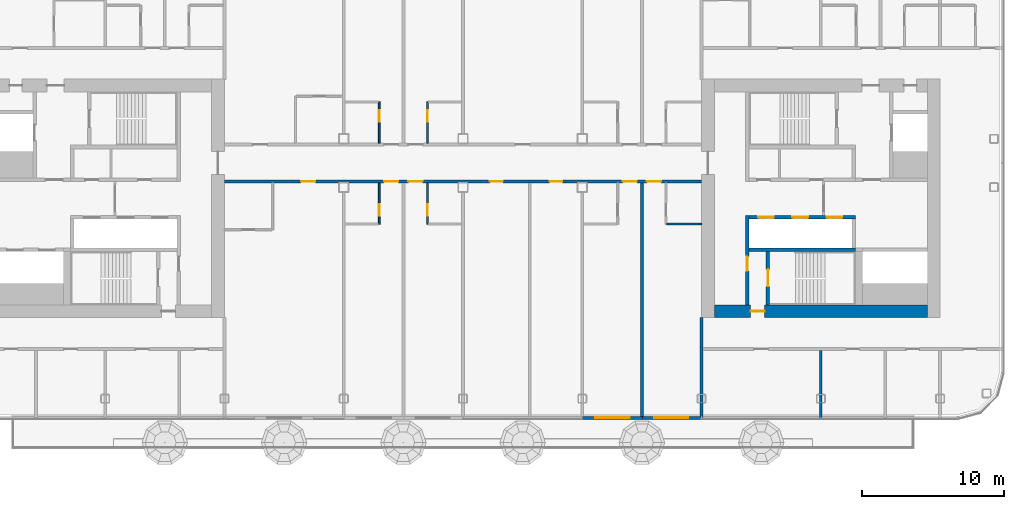
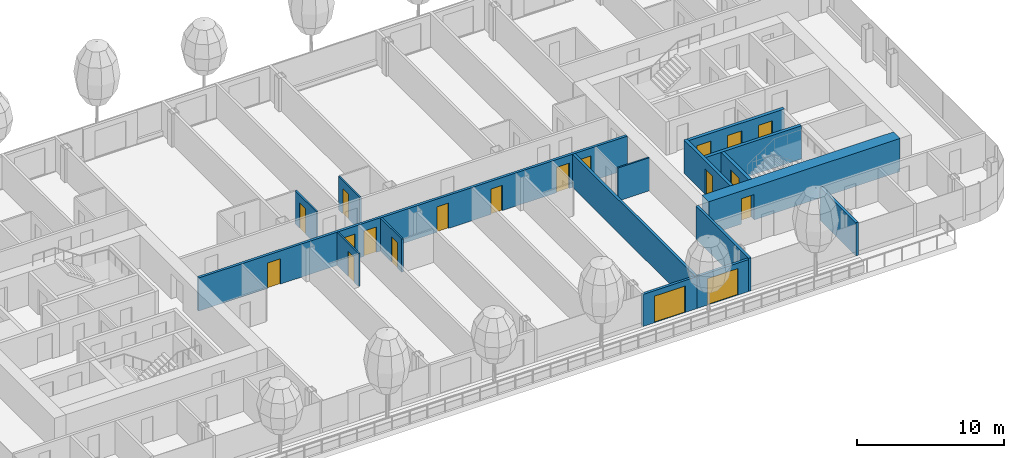
# One storey, part 12 of 28: 19 doors, 16 walls, 19 openings, 1 element without a shape of its own.
"""IFC4 building model written with IfcOpenShell, lengths in metres."""

import ifcopenshell
import ifcopenshell.guid

model = None  # the IFC model being written
_history = None  # IfcOwnerHistory: only IFC2X3 demands one
_inside = {}  # id of a spatial element -> (the spatial element, [elements in it])
_under = {}  # id of a project, library or spatial element -> (it, [spatial elements below it])
_declared = {}  # id of a project -> (the project, [libraries it declares])
_typed = {}  # id of a type object -> (the type object, [elements of that type])
_made_of = {}  # id of a material, layer set ... -> (it, [elements and type objects made of it])


def new_model(schema):
    """Start an empty IFC model of exactly this schema.

    Asked for "IFC4X3", IfcOpenShell would pick the latest addendum, in which some entities
    have other attributes; the version numbers below select the first issue.
    IFC2X3 requires an IfcOwnerHistory on every rooted entity: one is made here for all.
    """
    global model, _history
    if schema == "IFC4X3":
        model = ifcopenshell.file(schema_version=(4, 3, 0, 0))
    else:
        model = ifcopenshell.file(schema=schema)
    _inside.clear()
    _under.clear()
    _declared.clear()
    _typed.clear()
    _made_of.clear()
    _history = None
    if model.schema == "IFC2X3":
        org = make("IfcOrganization", Name="unknown")
        user = make(
            "IfcPersonAndOrganization",
            ThePerson=make("IfcPerson", FamilyName="unknown"),
            TheOrganization=org,
        )
        app = make(
            "IfcApplication",
            ApplicationDeveloper=org,
            Version="unknown",
            ApplicationFullName="unknown",
            ApplicationIdentifier="unknown",
        )
        _history = make(
            "IfcOwnerHistory",
            OwningUser=user,
            OwningApplication=app,
            ChangeAction="ADDED",
            CreationDate=0,
        )
    return model


def make(cls, **values):
    """One entity of the class cls with the attributes given. An attribute that is None is left unset."""
    return model.create_entity(
        cls, **{name: value for name, value in values.items() if value is not None}
    )


def rooted(cls, **values):
    """An entity with a GlobalId (a new one), such as an element, a storey or a relation."""
    return make(cls, GlobalId=ifcopenshell.guid.new(), OwnerHistory=_history, **values)


def si_unit(unit_type, name, prefix=None):
    """IfcSIUnit, for example si_unit("LENGTHUNIT", "METRE", prefix="MILLI")."""
    return make("IfcSIUnit", UnitType=unit_type, Prefix=prefix, Name=name)


def assignment(units):
    """IfcUnitAssignment: the units of a project."""
    return None if units is None else make("IfcUnitAssignment", Units=units)


def point(xyz):
    """IfcCartesianPoint."""
    return None if xyz is None else make("IfcCartesianPoint", Coordinates=xyz)


def direction(xyz):
    """IfcDirection."""
    return None if xyz is None else make("IfcDirection", DirectionRatios=xyz)


def frame(location, z_axis=None, x_axis=None):
    """IfcAxis2Placement3D, a coordinate frame: its origin and axes. An axis left out is left unset."""
    return make(
        "IfcAxis2Placement3D",
        Location=point(location),
        Axis=direction(z_axis),
        RefDirection=direction(x_axis),
    )


def frame_2d(location, x_axis=None):
    """IfcAxis2Placement2D, a coordinate frame in the plane: its origin and x axis."""
    return make(
        "IfcAxis2Placement2D", Location=point(location), RefDirection=direction(x_axis)
    )


def origin():
    """The frame at (0, 0, 0) with its axes left unset."""
    return frame((0.0, 0.0, 0.0))


def place(relative_to, where):
    """IfcLocalPlacement: puts the frame where relative to a parent placement (None: the world)."""
    return make(
        "IfcLocalPlacement", PlacementRelTo=relative_to, RelativePlacement=where
    )


def context(
    kind, dimensions, precision=None, world=None, true_north=None, identifier=None
):
    """IfcGeometricRepresentationContext, for example the 3D "Model" context."""
    return make(
        "IfcGeometricRepresentationContext",
        ContextIdentifier=identifier,
        ContextType=kind,
        CoordinateSpaceDimension=dimensions,
        Precision=precision,
        WorldCoordinateSystem=world,
        TrueNorth=true_north,
    )


def subcontext(parent, identifier, kind, view, scale=None):
    """IfcGeometricRepresentationSubContext, for example "Body" below "Model"."""
    return make(
        "IfcGeometricRepresentationSubContext",
        ContextIdentifier=identifier,
        ContextType=kind,
        ParentContext=parent,
        TargetScale=scale,
        TargetView=view,
    )


def project(units=None, contexts=None):
    """IfcProject with its units and contexts."""
    return rooted(
        "IfcProject",
        Name="project",
        RepresentationContexts=contexts,
        UnitsInContext=assignment(units),
    )


def spatial(cls, under=None, at=None, **own):
    """A site, building, storey or space (cls), placed at a placement, below another one or the project."""
    s = rooted(cls, ObjectPlacement=at, **own)
    if under is not None:
        _under.setdefault(under.id(), (under, []))[1].append(s)
    return s


def profile(cls, at=None, kind="AREA", **sizes):
    """A parametric profile (cls). Its sizes go by their IFC names, for example OverallWidth=200.0."""
    return make(cls, ProfileType=kind, Position=at, **sizes)


def rectangle(**sizes):
    """IfcRectangleProfileDef."""
    return profile("IfcRectangleProfileDef", **sizes)


def extrude(swept, where, along, depth):
    """IfcExtrudedAreaSolid: the profile swept, set in the frame where, extruded along a direction by depth."""
    return make(
        "IfcExtrudedAreaSolid",
        SweptArea=swept,
        Position=where,
        ExtrudedDirection=direction(along),
        Depth=depth,
    )


def shape(context_of_items, identifier, shape_type, items):
    """IfcShapeRepresentation: the items that make up one representation, for example the "Body"."""
    return make(
        "IfcShapeRepresentation",
        ContextOfItems=context_of_items,
        RepresentationIdentifier=identifier,
        RepresentationType=shape_type,
        Items=items,
    )


def material(Name=None, Category=None):
    """IfcMaterial."""
    return make("IfcMaterial", Name=Name, Category=Category)


def layer(
    of_material, thickness, ventilated=None, Name=None, Category=None, Priority=None
):
    """IfcMaterialLayer: one layer of a wall or slab, of a material (None: an air gap)."""
    return make(
        "IfcMaterialLayer",
        Material=of_material,
        LayerThickness=thickness,
        IsVentilated=ventilated,
        Name=Name,
        Category=Category,
        Priority=Priority,
    )


def layer_set(layers, Name=None):
    """IfcMaterialLayerSet."""
    return make("IfcMaterialLayerSet", MaterialLayers=layers, LayerSetName=Name)


def made_of(thing, what):
    """Note that an element or type object is made of a material, layer set ...; save() writes the relation."""
    if what is not None:
        _made_of.setdefault(what.id(), (what, []))[1].append(thing)
    return thing


def type_object(cls, material=None, **own):
    """A type object (cls), such as IfcWallType, which elements share."""
    return made_of(rooted(cls, **own), material)


def element(
    cls,
    number,
    at=None,
    inside=None,
    cuts=None,
    type_object=None,
    material=None,
    context=None,
    identifier="Body",
    shape_type=None,
    held_by="IfcProductDefinitionShape",
    body=None,
    shapes=None,
    **own,
):
    """One element of the class cls, such as IfcWall. Its Tag is "e" and its number.

    at: its placement. inside: the storey or other place that contains it. cuts: it is an
    opening in that element (IfcRelVoidsElement). A single representation is given by context,
    identifier, shape_type and body (its items); several are given by shapes. held_by: the class
    of the entity that holds the representations. save() writes the other relations.
    """
    e = rooted(cls, Tag="e%d" % number, ObjectPlacement=at, **own)
    if body is not None:
        shapes = [shape(context, identifier, shape_type, body)]
    if shapes is not None:
        e.Representation = make(held_by, Representations=shapes)
    if inside is not None:
        _inside.setdefault(inside.id(), (inside, []))[1].append(e)
    if cuts is not None:
        rooted(
            "IfcRelVoidsElement", RelatingBuildingElement=cuts, RelatedOpeningElement=e
        )
    if type_object is not None:
        _typed.setdefault(type_object.id(), (type_object, []))[1].append(e)
    return made_of(e, material)


def fill(opening, filler):
    """IfcRelFillsElement: the door or window that sits in an opening."""
    return rooted(
        "IfcRelFillsElement",
        RelatingOpeningElement=opening,
        RelatedBuildingElement=filler,
    )


def aggregate(whole, parts):
    """IfcRelAggregates: a whole, such as a stair, and the parts it consists of."""
    return rooted("IfcRelAggregates", RelatingObject=whole, RelatedObjects=parts)


def save(model, path):
    """Write the relations noted so far, then the file.

    IfcRelAggregates (storeys below a building ...), IfcRelContainedInSpatialStructure (elements
    in a storey), IfcRelDefinesByType, IfcRelAssociatesMaterial and IfcRelDeclares: one each for
    every whole, place, type object, material and project.
    """
    for whole, parts in _under.values():
        aggregate(whole, parts)
    for where, things in _inside.values():
        rooted(
            "IfcRelContainedInSpatialStructure",
            RelatedElements=things,
            RelatingStructure=where,
        )
    for kind, things in _typed.values():
        rooted("IfcRelDefinesByType", RelatedObjects=things, RelatingType=kind)
    for what, things in _made_of.values():
        rooted("IfcRelAssociatesMaterial", RelatedObjects=things, RelatingMaterial=what)
    for by, libraries in _declared.values():
        rooted("IfcRelDeclares", RelatingContext=by, RelatedDefinitions=libraries)
    model.write(path)


model = new_model("IFC4")

# Units and contexts
model_context = context("Model", 3, precision=1e-05, world=origin(), true_north=direction((0.0, 1.0)))
body_context = subcontext(model_context, "Body", "Model", "MODEL_VIEW")
ifc_project = project(units=[si_unit("LENGTHUNIT", "METRE"), si_unit("AREAUNIT", "SQUARE_METRE"), si_unit("VOLUMEUNIT", "CUBIC_METRE"), si_unit("PLANEANGLEUNIT", "RADIAN"), si_unit("MASSUNIT", "GRAM", prefix="KILO")], contexts=[model_context])

# Site, building, storey
site_placement = place(None, origin())
site = spatial("IfcSite", under=ifc_project, at=site_placement, CompositionType="ELEMENT")
building_placement = place(site_placement, origin())
building = spatial("IfcBuilding", under=site, at=building_placement, Name="Hakoniwa Tower and Hamabe Station Hall", CompositionType="ELEMENT")
storey_placement = place(building_placement, frame((0.0, 0.0, 193.0)))
storey = spatial("IfcBuildingStorey", under=building, at=storey_placement, Name="L54", CompositionType="ELEMENT", Elevation=193.0)

# Wall
ifc_material_1 = material(Name="Gypsum board partition", Category="gypsum")
ifc_layer_1 = layer(ifc_material_1, 0.125)
ifc_layer_set_1 = layer_set([ifc_layer_1], Name="Bathroom Partition 125")
wall_type_1 = type_object("IfcWallType", Name="Bathroom Partition 125", PredefinedType="PARTITIONING", material=ifc_layer_set_1)
wall_1_placement = place(storey_placement, frame((14.362548828125, -1.800048828125, 0.0), z_axis=(0.0, 0.0, 1.0), x_axis=(1.0, 0.0, 0.0)))
element("IfcWall", 1, at=wall_1_placement, inside=storey, type_object=wall_type_1, Name="GW-L54-007", PredefinedType="PARTITIONING", context=body_context, shape_type="SweptSolid", body=[
    extrude(rectangle(XDim=2.447509765625, YDim=0.125, at=frame_2d((1.2236328125, 0.0))), origin(), (0.0, 0.0, 1.0), 2.75),
])

# Wall, opening, door
wall_2_placement = place(storey_placement, frame((-5.89990234375, -1.800048828125, 0.0), z_axis=(0.0, 0.0, 1.0), x_axis=(0.0, 1.0, 0.0)))
wall_2 = element("IfcWall", 2, at=wall_2_placement, inside=storey, type_object=wall_type_1, Name="GW-L54-039", PredefinedType="PARTITIONING", context=body_context, shape_type="SweptSolid", body=[
    extrude(rectangle(XDim=2.900146484375, YDim=0.125, at=frame_2d((1.4501953125, 0.0))), origin(), (0.0, 0.0, 1.0), 2.75),
])
opening_1_placement = place(wall_2_placement, frame((0.60009765625, 0.0, 0.0)))
opening_1 = element("IfcOpeningElement", 3, at=opening_1_placement, cuts=wall_2, Name="Opening GD-G4C0-37", PredefinedType="OPENING", context=body_context, shape_type="SweptSolid", body=[
    extrude(rectangle(XDim=0.800048828125, YDim=2.10009765625, at=frame_2d((0.39990234375, 1.050048828125))), frame((0.0, 0.072509765625, 0.0), z_axis=(0.0, -1.0, 0.0), x_axis=(1.0, 0.0, 0.0)), (0.0, 0.0, 1.0), 0.14501953125),
])
ifc_material_2 = material(Name="Timber door leaf", Category="wood")
door_type_1 = type_object("IfcDoorType", Name="Bathroom Door 800", OperationType="SINGLE_SWING_LEFT", PredefinedType="DOOR", material=ifc_material_2)
door_1_placement = place(opening_1_placement, origin())
door_1 = element("IfcDoor", 4, at=door_1_placement, inside=storey, type_object=door_type_1, Name="Door GD-G4C0-37", OperationType="SINGLE_SWING_RIGHT", OverallHeight=2.10009765625, OverallWidth=0.800048828125, PredefinedType="DOOR", context=body_context, shape_type="SweptSolid", body=[
    extrude(rectangle(XDim=0.800048828125, YDim=2.10009765625, at=frame_2d((0.39990234375, 1.050048828125))), frame((0.0, 0.02490234375, 0.0), z_axis=(0.0, -1.0, 0.0), x_axis=(1.0, 0.0, 0.0)), (0.0, 0.0, 1.0), 0.050048828125),
])
fill(opening_1, door_1)

wall_3_placement = place(storey_placement, frame((-5.89990234375, 3.89990234375, 0.0), z_axis=(0.0, 0.0, 1.0), x_axis=(0.0, 1.0, 0.0)))
wall_3 = element("IfcWall", 5, at=wall_3_placement, inside=storey, type_object=wall_type_1, Name="GW-L54-040", PredefinedType="PARTITIONING", context=body_context, shape_type="SweptSolid", body=[
    extrude(rectangle(XDim=2.900146484375, YDim=0.125, at=frame_2d((1.4501953125, 0.0))), origin(), (0.0, 0.0, 1.0), 2.75),
])
opening_2_placement = place(wall_3_placement, frame((1.5, 0.0, 0.0)))
opening_2 = element("IfcOpeningElement", 6, at=opening_2_placement, cuts=wall_3, Name="Opening GD-G4C0-38", PredefinedType="OPENING", context=body_context, shape_type="SweptSolid", body=[
    extrude(rectangle(XDim=0.800048828125, YDim=2.10009765625, at=frame_2d((0.39990234375, 1.050048828125))), frame((0.0, 0.072509765625, 0.0), z_axis=(0.0, -1.0, 0.0), x_axis=(1.0, 0.0, 0.0)), (0.0, 0.0, 1.0), 0.14501953125),
])
door_2_placement = place(opening_2_placement, origin())
door_2 = element("IfcDoor", 7, at=door_2_placement, inside=storey, type_object=door_type_1, Name="Door GD-G4C0-38", OperationType="SINGLE_SWING_LEFT", OverallHeight=2.10009765625, OverallWidth=0.800048828125, PredefinedType="DOOR", context=body_context, shape_type="SweptSolid", body=[
    extrude(rectangle(XDim=0.800048828125, YDim=2.10009765625, at=frame_2d((0.39990234375, 1.050048828125))), frame((0.0, 0.02490234375, 0.0), z_axis=(0.0, -1.0, 0.0), x_axis=(1.0, 0.0, 0.0)), (0.0, 0.0, 1.0), 0.050048828125),
])
fill(opening_2, door_2)

wall_4_placement = place(storey_placement, frame((-2.5, -1.800048828125, 0.0), z_axis=(0.0, 0.0, 1.0), x_axis=(0.0, 1.0, 0.0)))
wall_4 = element("IfcWall", 8, at=wall_4_placement, inside=storey, type_object=wall_type_1, Name="GW-L54-043", PredefinedType="PARTITIONING", context=body_context, shape_type="SweptSolid", body=[
    extrude(rectangle(XDim=2.900146484375, YDim=0.125, at=frame_2d((1.4501953125, 0.0))), origin(), (0.0, 0.0, 1.0), 2.75),
])
opening_3_placement = place(wall_4_placement, frame((0.60009765625, 0.0, 0.0)))
opening_3 = element("IfcOpeningElement", 9, at=opening_3_placement, cuts=wall_4, Name="Opening GD-G4C0-39", PredefinedType="OPENING", context=body_context, shape_type="SweptSolid", body=[
    extrude(rectangle(XDim=0.800048828125, YDim=2.10009765625, at=frame_2d((0.39990234375, 1.050048828125))), frame((0.0, 0.072509765625, 0.0), z_axis=(0.0, -1.0, 0.0), x_axis=(1.0, 0.0, 0.0)), (0.0, 0.0, 1.0), 0.14501953125),
])
door_3_placement = place(opening_3_placement, origin())
door_3 = element("IfcDoor", 10, at=door_3_placement, inside=storey, type_object=door_type_1, Name="Door GD-G4C0-39", OperationType="SINGLE_SWING_LEFT", OverallHeight=2.10009765625, OverallWidth=0.800048828125, PredefinedType="DOOR", context=body_context, shape_type="SweptSolid", body=[
    extrude(rectangle(XDim=0.800048828125, YDim=2.10009765625, at=frame_2d((0.39990234375, 1.050048828125))), frame((0.0, 0.02490234375, 0.0), z_axis=(0.0, -1.0, 0.0), x_axis=(1.0, 0.0, 0.0)), (0.0, 0.0, 1.0), 0.050048828125),
])
fill(opening_3, door_3)

wall_5_placement = place(storey_placement, frame((-2.5, 3.89990234375, 0.0), z_axis=(0.0, 0.0, 1.0), x_axis=(0.0, 1.0, 0.0)))
wall_5 = element("IfcWall", 11, at=wall_5_placement, inside=storey, type_object=wall_type_1, Name="GW-L54-044", PredefinedType="PARTITIONING", context=body_context, shape_type="SweptSolid", body=[
    extrude(rectangle(XDim=2.900146484375, YDim=0.125, at=frame_2d((1.4501953125, 0.0))), origin(), (0.0, 0.0, 1.0), 2.75),
])
opening_4_placement = place(wall_5_placement, frame((1.5, 0.0, 0.0)))
opening_4 = element("IfcOpeningElement", 12, at=opening_4_placement, cuts=wall_5, Name="Opening GD-G4C0-40", PredefinedType="OPENING", context=body_context, shape_type="SweptSolid", body=[
    extrude(rectangle(XDim=0.800048828125, YDim=2.10009765625, at=frame_2d((0.39990234375, 1.050048828125))), frame((0.0, 0.072509765625, 0.0), z_axis=(0.0, -1.0, 0.0), x_axis=(1.0, 0.0, 0.0)), (0.0, 0.0, 1.0), 0.14501953125),
])
door_4_placement = place(opening_4_placement, origin())
door_4 = element("IfcDoor", 13, at=door_4_placement, inside=storey, type_object=door_type_1, Name="Door GD-G4C0-40", OperationType="SINGLE_SWING_RIGHT", OverallHeight=2.10009765625, OverallWidth=0.800048828125, PredefinedType="DOOR", context=body_context, shape_type="SweptSolid", body=[
    extrude(rectangle(XDim=0.800048828125, YDim=2.10009765625, at=frame_2d((0.39990234375, 1.050048828125))), frame((0.0, 0.02490234375, 0.0), z_axis=(0.0, -1.0, 0.0), x_axis=(1.0, 0.0, 0.0)), (0.0, 0.0, 1.0), 0.050048828125),
])
fill(opening_4, door_4)

ifc_material_3 = material(Name="Concrete C60", Category="concrete")
ifc_layer_2 = layer(ifc_material_3, 0.89990234375)
ifc_layer_set_2 = layer_set([ifc_layer_2], Name="CORE WALL 900 C60")
wall_type_2 = type_object("IfcWallType", Name="CORE WALL 900 C60", PredefinedType="SHEAR", material=ifc_layer_set_2)
wall_6_placement = place(storey_placement, frame((17.699951171875, -7.949951171875, 0.0), z_axis=(0.0, 0.0, 1.0), x_axis=(1.0, 0.0, 0.0)))
wall_6 = element("IfcWall", 14, at=wall_6_placement, inside=storey, type_object=wall_type_2, Name="Core wall SOUTH east", PredefinedType="SHEAR", context=body_context, shape_type="SweptSolid", body=[
    extrude(rectangle(XDim=15.0, YDim=0.89990234375, at=frame_2d((7.5, 0.0))), origin(), (0.0, 0.0, 1.0), 2.75),
])
opening_5_placement = place(wall_6_placement, frame((2.550048828125, 0.0, 0.0)))
opening_5 = element("IfcOpeningElement", 15, at=opening_5_placement, cuts=wall_6, Name="Opening CD-E-FS3-10", PredefinedType="OPENING", context=body_context, shape_type="SweptSolid", body=[
    extrude(rectangle(XDim=1.0, YDim=2.10009765625, at=frame_2d((0.5, 1.050048828125))), frame((0.0, 0.4599609375, 0.0), z_axis=(0.0, -1.0, 0.0), x_axis=(1.0, 0.0, 0.0)), (0.0, 0.0, 1.0), 0.919921875),
])
ifc_material_4 = material(Name="Steel fire door", Category="steel")
door_type_2 = type_object("IfcDoorType", Name="CORE DOOR 1000 FD60", OperationType="NOTDEFINED", PredefinedType="DOOR", material=ifc_material_4)
door_5_placement = place(opening_5_placement, origin())
door_5 = element("IfcDoor", 16, at=door_5_placement, inside=storey, type_object=door_type_2, Name="Stair vestibule door", OperationType="SINGLE_SWING_LEFT", OverallHeight=2.10009765625, OverallWidth=1.0, PredefinedType="DOOR", context=body_context, shape_type="SweptSolid", body=[
    extrude(rectangle(XDim=1.0, YDim=2.10009765625, at=frame_2d((0.5, 1.050048828125))), frame((0.0, 0.02490234375, 0.0), z_axis=(0.0, -1.0, 0.0), x_axis=(1.0, 0.0, 0.0)), (0.0, 0.0, 1.0), 0.050048828125),
])
fill(opening_5, door_5)

ifc_material_5 = material(Name="Concrete C60", Category="concrete")
ifc_layer_3 = layer(ifc_material_5, 0.25)
ifc_layer_set_3 = layer_set([ifc_layer_3], Name="CORE WEB WALL 250 C60")
wall_type_3 = type_object("IfcWallType", Name="CORE WEB WALL 250 C60", PredefinedType="SHEAR", material=ifc_layer_set_3)
wall_7_placement = place(storey_placement, frame((20.02490234375, -7.5, 0.0), z_axis=(0.0, 0.0, 1.0), x_axis=(0.0, 1.0, 0.0)))
wall_7 = element("IfcWall", 17, at=wall_7_placement, inside=storey, type_object=wall_type_3, Name="Core wall W1S east", PredefinedType="SHEAR", context=body_context, shape_type="SweptSolid", body=[
    extrude(rectangle(XDim=6.300048828125, YDim=0.25, at=frame_2d((3.14990234375, 0.0))), origin(), (0.0, 0.0, 1.0), 2.75),
])
opening_6_placement = place(wall_7_placement, frame((2.39990234375, 0.0, 0.0)))
opening_6 = element("IfcOpeningElement", 18, at=opening_6_placement, cuts=wall_7, Name="Opening CD-E-VS-10", PredefinedType="OPENING", context=body_context, shape_type="SweptSolid", body=[
    extrude(rectangle(XDim=1.0, YDim=2.10009765625, at=frame_2d((0.5, 1.050048828125))), frame((0.0, 0.135009765625, 0.0), z_axis=(0.0, -1.0, 0.0), x_axis=(1.0, 0.0, 0.0)), (0.0, 0.0, 1.0), 0.27001953125),
])
door_6_placement = place(opening_6_placement, origin())
door_6 = element("IfcDoor", 19, at=door_6_placement, inside=storey, type_object=door_type_2, Name="Stair vestibule door", OperationType="SINGLE_SWING_RIGHT", OverallHeight=2.10009765625, OverallWidth=1.0, PredefinedType="DOOR", context=body_context, shape_type="SweptSolid", body=[
    extrude(rectangle(XDim=1.0, YDim=2.10009765625, at=frame_2d((0.5, 1.050048828125))), frame((0.0, 0.02490234375, 0.0), z_axis=(0.0, -1.0, 0.0), x_axis=(1.0, 0.0, 0.0)), (0.0, 0.0, 1.0), 0.050048828125),
])
fill(opening_6, door_6)

# Wall, openings, doors
wall_8_placement = place(storey_placement, frame((20.14990234375, -1.324951171875, 0.0), z_axis=(0.0, 0.0, 1.0), x_axis=(1.0, 0.0, 0.0)))
wall_8 = element("IfcWall", 20, at=wall_8_placement, inside=storey, type_object=wall_type_3, Name="Core wall SF east", PredefinedType="SHEAR", context=body_context, shape_type="SweptSolid", body=[
    extrude(rectangle(XDim=7.5, YDim=0.25, at=frame_2d((3.75, 0.0))), origin(), (0.0, 0.0, 1.0), 2.75),
])
opening_7_placement = place(wall_8_placement, frame((0.64990234375, 0.0, 0.0)))
opening_7 = element("IfcOpeningElement", 21, at=opening_7_placement, cuts=wall_8, Name="Opening LD-HR4", PredefinedType="OPENING", context=body_context, shape_type="SweptSolid", body=[
    extrude(rectangle(XDim=1.10009765625, YDim=2.10009765625, at=frame_2d((0.550048828125, 1.050048828125))), frame((0.0, 0.135009765625, 0.0), z_axis=(0.0, -1.0, 0.0), x_axis=(1.0, 0.0, 0.0)), (0.0, 0.0, 1.0), 0.27001953125),
])
opening_8_placement = place(wall_8_placement, frame((3.050048828125, 0.0, 0.0)))
opening_8 = element("IfcOpeningElement", 22, at=opening_8_placement, cuts=wall_8, Name="Opening LD-HR5", PredefinedType="OPENING", context=body_context, shape_type="SweptSolid", body=[
    extrude(rectangle(XDim=1.10009765625, YDim=2.10009765625, at=frame_2d((0.550048828125, 1.050048828125))), frame((0.0, 0.135009765625, 0.0), z_axis=(0.0, -1.0, 0.0), x_axis=(1.0, 0.0, 0.0)), (0.0, 0.0, 1.0), 0.27001953125),
])
opening_9_placement = place(wall_8_placement, frame((5.449951171875, 0.0, 0.0)))
opening_9 = element("IfcOpeningElement", 23, at=opening_9_placement, cuts=wall_8, Name="Opening LD-HR6", PredefinedType="OPENING", context=body_context, shape_type="SweptSolid", body=[
    extrude(rectangle(XDim=1.10009765625, YDim=2.10009765625, at=frame_2d((0.550048828125, 1.050048828125))), frame((0.0, 0.135009765625, 0.0), z_axis=(0.0, -1.0, 0.0), x_axis=(1.0, 0.0, 0.0)), (0.0, 0.0, 1.0), 0.27001953125),
])
ifc_material_6 = material(Name="Stainless steel SUS304", Category="steel")
door_type_3 = type_object("IfcDoorType", Name="LIFT LANDING DOOR 1100 FD60", OperationType="DOUBLE_DOOR_SLIDING", PredefinedType="DOOR", material=ifc_material_6)
door_7_placement = place(opening_7_placement, origin())
door_7 = element("IfcDoor", 24, at=door_7_placement, inside=storey, type_object=door_type_3, Name="Lift landing door HR4 L54", OperationType="DOUBLE_DOOR_SLIDING", OverallHeight=2.10009765625, OverallWidth=1.10009765625, PredefinedType="DOOR", context=body_context, shape_type="SweptSolid", body=[
    extrude(rectangle(XDim=1.10009765625, YDim=2.10009765625, at=frame_2d((0.550048828125, 1.050048828125))), frame((0.0, 0.02490234375, 0.0), z_axis=(0.0, -1.0, 0.0), x_axis=(1.0, 0.0, 0.0)), (0.0, 0.0, 1.0), 0.050048828125),
])
fill(opening_7, door_7)
door_8_placement = place(opening_8_placement, origin())
door_8 = element("IfcDoor", 25, at=door_8_placement, inside=storey, type_object=door_type_3, Name="Lift landing door HR5 L54", OperationType="DOUBLE_DOOR_SLIDING", OverallHeight=2.10009765625, OverallWidth=1.10009765625, PredefinedType="DOOR", context=body_context, shape_type="SweptSolid", body=[
    extrude(rectangle(XDim=1.10009765625, YDim=2.10009765625, at=frame_2d((0.550048828125, 1.050048828125))), frame((0.0, 0.02490234375, 0.0), z_axis=(0.0, -1.0, 0.0), x_axis=(1.0, 0.0, 0.0)), (0.0, 0.0, 1.0), 0.050048828125),
])
fill(opening_8, door_8)
door_9_placement = place(opening_9_placement, origin())
door_9 = element("IfcDoor", 26, at=door_9_placement, inside=storey, type_object=door_type_3, Name="Lift landing door HR6 L54", OperationType="DOUBLE_DOOR_SLIDING", OverallHeight=2.10009765625, OverallWidth=1.10009765625, PredefinedType="DOOR", context=body_context, shape_type="SweptSolid", body=[
    extrude(rectangle(XDim=1.10009765625, YDim=2.10009765625, at=frame_2d((0.550048828125, 1.050048828125))), frame((0.0, 0.02490234375, 0.0), z_axis=(0.0, -1.0, 0.0), x_axis=(1.0, 0.0, 0.0)), (0.0, 0.0, 1.0), 0.050048828125),
])
fill(opening_9, door_9)

# Wall
wall_9_placement = place(storey_placement, frame((20.14990234375, -3.625, 0.0), z_axis=(0.0, 0.0, 1.0), x_axis=(1.0, 0.0, 0.0)))
element("IfcWall", 27, at=wall_9_placement, inside=storey, type_object=wall_type_3, Name="Core wall SR east", PredefinedType="SHEAR", context=body_context, shape_type="SweptSolid", body=[
    extrude(rectangle(XDim=7.5, YDim=0.25, at=frame_2d((3.75, 0.0))), origin(), (0.0, 0.0, 1.0), 2.75),
])

# Wall, opening, door
wall_10_placement = place(storey_placement, frame((21.47509765625, -7.5, 0.0), z_axis=(0.0, 0.0, 1.0), x_axis=(0.0, 1.0, 0.0)))
wall_10 = element("IfcWall", 28, at=wall_10_placement, inside=storey, type_object=wall_type_3, Name="Core wall VE east", PredefinedType="SHEAR", context=body_context, shape_type="SweptSolid", body=[
    extrude(rectangle(XDim=3.75, YDim=0.25, at=frame_2d((1.875, 0.0))), origin(), (0.0, 0.0, 1.0), 2.75),
])
opening_10_placement = place(wall_10_placement, frame((1.300048828125, 0.0, 0.0)))
opening_10 = element("IfcOpeningElement", 29, at=opening_10_placement, cuts=wall_10, Name="Opening CD-E-SS-12", PredefinedType="OPENING", context=body_context, shape_type="SweptSolid", body=[
    extrude(rectangle(XDim=1.199951171875, YDim=2.10009765625, at=frame_2d((0.60009765625, 1.050048828125))), frame((0.0, 0.135009765625, 0.0), z_axis=(0.0, -1.0, 0.0), x_axis=(1.0, 0.0, 0.0)), (0.0, 0.0, 1.0), 0.27001953125),
])
ifc_material_7 = material(Name="Steel fire door", Category="steel")
door_type_4 = type_object("IfcDoorType", Name="CORE DOOR 1200 FD60", OperationType="DOUBLE_DOOR_SINGLE_SWING", PredefinedType="DOOR", material=ifc_material_7)
door_10_placement = place(opening_10_placement, origin())
door_10 = element("IfcDoor", 30, at=door_10_placement, inside=storey, type_object=door_type_4, Name="Escape stair door", OperationType="DOUBLE_DOOR_SINGLE_SWING", OverallHeight=2.10009765625, OverallWidth=1.199951171875, PredefinedType="DOOR", context=body_context, shape_type="SweptSolid", body=[
    extrude(rectangle(XDim=1.199951171875, YDim=2.10009765625, at=frame_2d((0.60009765625, 1.050048828125))), frame((0.0, 0.02490234375, 0.0), z_axis=(0.0, -1.0, 0.0), x_axis=(1.0, 0.0, 0.0)), (0.0, 0.0, 1.0), 0.050048828125),
])
fill(opening_10, door_10)

# Wall, openings, doors
ifc_material_8 = material(Name="Fire-rated gypsum board partition", Category="gypsum")
ifc_layer_4 = layer(ifc_material_8, 0.199951171875)
ifc_layer_set_4 = layer_set([ifc_layer_4], Name="Corridor Wall 200")
wall_type_4 = type_object("IfcWallType", Name="Corridor Wall 200", PredefinedType="PARTITIONING", material=ifc_layer_set_4)
wall_11_placement = place(storey_placement, frame((-16.800048828125, 1.199951171875, 0.0), z_axis=(0.0, 0.0, 1.0), x_axis=(1.0, 0.0, 0.0)))
wall_11 = element("IfcWall", 31, at=wall_11_placement, inside=storey, type_object=wall_type_4, Name="GW-L54-008", PredefinedType="PARTITIONING", context=body_context, shape_type="SweptSolid", body=[
    extrude(rectangle(XDim=33.60009765625, YDim=0.199951171875, at=frame_2d((16.800048828125, 0.0))), origin(), (0.0, 0.0, 1.0), 2.75),
])
opening_11_placement = place(wall_11_placement, frame((5.39990234375, 0.0, 0.0)))
opening_11 = element("IfcOpeningElement", 32, at=opening_11_placement, cuts=wall_11, Name="Opening GD-G4C0-11", PredefinedType="OPENING", context=body_context, shape_type="SweptSolid", body=[
    extrude(rectangle(XDim=1.0, YDim=2.10009765625, at=frame_2d((0.5, 1.050048828125))), frame((0.0, 0.10986328125, 0.0), z_axis=(0.0, -1.0, 0.0), x_axis=(1.0, 0.0, 0.0)), (0.0, 0.0, 1.0), 0.219970703125),
])
opening_12_placement = place(wall_11_placement, frame((11.25, 0.0, 0.0)))
opening_12 = element("IfcOpeningElement", 33, at=opening_12_placement, cuts=wall_11, Name="Opening GD-G4C0-12", PredefinedType="OPENING", context=body_context, shape_type="SweptSolid", body=[
    extrude(rectangle(XDim=1.0, YDim=2.10009765625, at=frame_2d((0.5, 1.050048828125))), frame((0.0, 0.10986328125, 0.0), z_axis=(0.0, -1.0, 0.0), x_axis=(1.0, 0.0, 0.0)), (0.0, 0.0, 1.0), 0.219970703125),
])
opening_13_placement = place(wall_11_placement, frame((12.949951171875, 0.0, 0.0)))
opening_13 = element("IfcOpeningElement", 34, at=opening_13_placement, cuts=wall_11, Name="Opening GD-G4C0-13", PredefinedType="OPENING", context=body_context, shape_type="SweptSolid", body=[
    extrude(rectangle(XDim=1.0, YDim=2.10009765625, at=frame_2d((0.5, 1.050048828125))), frame((0.0, 0.10986328125, 0.0), z_axis=(0.0, -1.0, 0.0), x_axis=(1.0, 0.0, 0.0)), (0.0, 0.0, 1.0), 0.219970703125),
])
opening_14_placement = place(wall_11_placement, frame((18.699951171875, 0.0, 0.0)))
opening_14 = element("IfcOpeningElement", 35, at=opening_14_placement, cuts=wall_11, Name="Opening GD-G4C0-14", PredefinedType="OPENING", context=body_context, shape_type="SweptSolid", body=[
    extrude(rectangle(XDim=0.89990234375, YDim=2.10009765625, at=frame_2d((0.449951171875, 1.050048828125))), frame((0.0, 0.10986328125, 0.0), z_axis=(0.0, -1.0, 0.0), x_axis=(1.0, 0.0, 0.0)), (0.0, 0.0, 1.0), 0.219970703125),
])
opening_15_placement = place(wall_11_placement, frame((22.89990234375, 0.0, 0.0)))
opening_15 = element("IfcOpeningElement", 36, at=opening_15_placement, cuts=wall_11, Name="Opening GD-G4C0-15", PredefinedType="OPENING", context=body_context, shape_type="SweptSolid", body=[
    extrude(rectangle(XDim=0.89990234375, YDim=2.10009765625, at=frame_2d((0.449951171875, 1.050048828125))), frame((0.0, 0.10986328125, 0.0), z_axis=(0.0, -1.0, 0.0), x_axis=(1.0, 0.0, 0.0)), (0.0, 0.0, 1.0), 0.219970703125),
])
opening_16_placement = place(wall_11_placement, frame((28.050048828125, 0.0, 0.0)))
opening_16 = element("IfcOpeningElement", 37, at=opening_16_placement, cuts=wall_11, Name="Opening GD-G4C0-16", PredefinedType="OPENING", context=body_context, shape_type="SweptSolid", body=[
    extrude(rectangle(XDim=1.0, YDim=2.10009765625, at=frame_2d((0.5, 1.050048828125))), frame((0.0, 0.10986328125, 0.0), z_axis=(0.0, -1.0, 0.0), x_axis=(1.0, 0.0, 0.0)), (0.0, 0.0, 1.0), 0.219970703125),
])
opening_17_placement = place(wall_11_placement, frame((29.75, 0.0, 0.0)))
opening_17 = element("IfcOpeningElement", 38, at=opening_17_placement, cuts=wall_11, Name="Opening GD-G4C0-17", PredefinedType="OPENING", context=body_context, shape_type="SweptSolid", body=[
    extrude(rectangle(XDim=1.0, YDim=2.10009765625, at=frame_2d((0.5, 1.050048828125))), frame((0.0, 0.10986328125, 0.0), z_axis=(0.0, -1.0, 0.0), x_axis=(1.0, 0.0, 0.0)), (0.0, 0.0, 1.0), 0.219970703125),
])
ifc_material_9 = material(Name="Timber door leaf", Category="wood")
door_type_5 = type_object("IfcDoorType", Name="Guest Entrance Door 1000", OperationType="SINGLE_SWING_LEFT", PredefinedType="DOOR", material=ifc_material_9)
door_11_placement = place(opening_11_placement, origin())
door_11 = element("IfcDoor", 39, at=door_11_placement, inside=storey, type_object=door_type_5, Name="Door GD-G4C0-11", OperationType="SINGLE_SWING_RIGHT", OverallHeight=2.10009765625, OverallWidth=1.0, PredefinedType="DOOR", context=body_context, shape_type="SweptSolid", body=[
    extrude(rectangle(XDim=1.0, YDim=2.10009765625, at=frame_2d((0.5, 1.050048828125))), frame((0.0, 0.02490234375, 0.0), z_axis=(0.0, -1.0, 0.0), x_axis=(1.0, 0.0, 0.0)), (0.0, 0.0, 1.0), 0.050048828125),
])
fill(opening_11, door_11)
door_12_placement = place(opening_12_placement, origin())
door_12 = element("IfcDoor", 40, at=door_12_placement, inside=storey, type_object=door_type_5, Name="Door GD-G4C0-12", OperationType="SINGLE_SWING_LEFT", OverallHeight=2.10009765625, OverallWidth=1.0, PredefinedType="DOOR", context=body_context, shape_type="SweptSolid", body=[
    extrude(rectangle(XDim=1.0, YDim=2.10009765625, at=frame_2d((0.5, 1.050048828125))), frame((0.0, 0.02490234375, 0.0), z_axis=(0.0, -1.0, 0.0), x_axis=(1.0, 0.0, 0.0)), (0.0, 0.0, 1.0), 0.050048828125),
])
fill(opening_12, door_12)
door_13_placement = place(opening_13_placement, origin())
door_13 = element("IfcDoor", 41, at=door_13_placement, inside=storey, type_object=door_type_5, Name="Door GD-G4C0-13", OperationType="SINGLE_SWING_RIGHT", OverallHeight=2.10009765625, OverallWidth=1.0, PredefinedType="DOOR", context=body_context, shape_type="SweptSolid", body=[
    extrude(rectangle(XDim=1.0, YDim=2.10009765625, at=frame_2d((0.5, 1.050048828125))), frame((0.0, 0.02490234375, 0.0), z_axis=(0.0, -1.0, 0.0), x_axis=(1.0, 0.0, 0.0)), (0.0, 0.0, 1.0), 0.050048828125),
])
fill(opening_13, door_13)
door_14_placement = place(opening_16_placement, origin())
door_14 = element("IfcDoor", 42, at=door_14_placement, inside=storey, type_object=door_type_5, Name="Door GD-G4C0-16", OperationType="SINGLE_SWING_LEFT", OverallHeight=2.10009765625, OverallWidth=1.0, PredefinedType="DOOR", context=body_context, shape_type="SweptSolid", body=[
    extrude(rectangle(XDim=1.0, YDim=2.10009765625, at=frame_2d((0.5, 1.050048828125))), frame((0.0, 0.02490234375, 0.0), z_axis=(0.0, -1.0, 0.0), x_axis=(1.0, 0.0, 0.0)), (0.0, 0.0, 1.0), 0.050048828125),
])
fill(opening_16, door_14)
door_15_placement = place(opening_17_placement, origin())
door_15 = element("IfcDoor", 43, at=door_15_placement, inside=storey, type_object=door_type_5, Name="Door GD-G4C0-17", OperationType="SINGLE_SWING_RIGHT", OverallHeight=2.10009765625, OverallWidth=1.0, PredefinedType="DOOR", context=body_context, shape_type="SweptSolid", body=[
    extrude(rectangle(XDim=1.0, YDim=2.10009765625, at=frame_2d((0.5, 1.050048828125))), frame((0.0, 0.02490234375, 0.0), z_axis=(0.0, -1.0, 0.0), x_axis=(1.0, 0.0, 0.0)), (0.0, 0.0, 1.0), 0.050048828125),
])
fill(opening_17, door_15)
ifc_material_10 = material(Name="Timber door leaf", Category="wood")
door_type_6 = type_object("IfcDoorType", Name="Service Door 900", OperationType="SINGLE_SWING_LEFT", PredefinedType="DOOR", material=ifc_material_10)
door_16_placement = place(opening_14_placement, origin())
door_16 = element("IfcDoor", 44, at=door_16_placement, inside=storey, type_object=door_type_6, Name="Door GD-G4C0-14", OperationType="SINGLE_SWING_LEFT", OverallHeight=2.10009765625, OverallWidth=0.89990234375, PredefinedType="DOOR", context=body_context, shape_type="SweptSolid", body=[
    extrude(rectangle(XDim=0.89990234375, YDim=2.10009765625, at=frame_2d((0.449951171875, 1.050048828125))), frame((0.0, 0.02490234375, 0.0), z_axis=(0.0, -1.0, 0.0), x_axis=(1.0, 0.0, 0.0)), (0.0, 0.0, 1.0), 0.050048828125),
])
fill(opening_14, door_16)
door_17_placement = place(opening_15_placement, origin())
door_17 = element("IfcDoor", 45, at=door_17_placement, inside=storey, type_object=door_type_6, Name="Door GD-G4C0-15", OperationType="SINGLE_SWING_LEFT", OverallHeight=2.10009765625, OverallWidth=0.89990234375, PredefinedType="DOOR", context=body_context, shape_type="SweptSolid", body=[
    extrude(rectangle(XDim=0.89990234375, YDim=2.10009765625, at=frame_2d((0.449951171875, 1.050048828125))), frame((0.0, 0.02490234375, 0.0), z_axis=(0.0, -1.0, 0.0), x_axis=(1.0, 0.0, 0.0)), (0.0, 0.0, 1.0), 0.050048828125),
])
fill(opening_15, door_17)

# Curtain wall, walls, openings, doors
ifc_material_11 = material(Name="Dark low-e laminated glass", Category="glass")
ifc_layer_5 = layer(ifc_material_11, 0.199951171875)
ifc_layer_set_5 = layer_set([ifc_layer_5], Name="CW-1 UNITISED GUEST")
curtain_wall_type = type_object("IfcCurtainWallType", Name="CW-1 UNITISED GUEST", PredefinedType="NOTDEFINED", material=ifc_layer_set_5)
curtain_wall_placement = place(storey_placement, origin())
curtain_wall = element("IfcCurtainWall", 46, at=curtain_wall_placement, inside=storey, type_object=curtain_wall_type, Name="CW-1 curtain wall", PredefinedType="NOTDEFINED")
ifc_material_12 = material(Name="Dark glass-faced aluminium panel", Category="aluminium")
ifc_layer_6 = layer(ifc_material_12, 0.199951171875)
ifc_layer_set_6 = layer_set([ifc_layer_6], Name="DOOR BAY WALL")
wall_type_5 = type_object("IfcWallType", Name="DOOR BAY WALL", PredefinedType="NOTDEFINED", material=ifc_layer_set_6)
wall_12_placement = place(storey_placement, frame((8.419921875, -15.449951171875, 0.0), z_axis=(0.0, 0.0, 1.0), x_axis=(1.0, 0.0, 0.0)))
wall_12 = element("IfcWall", 47, at=wall_12_placement, type_object=wall_type_5, Name="Door bay wall", PredefinedType="NOTDEFINED", context=body_context, shape_type="SweptSolid", body=[
    extrude(rectangle(XDim=4.219970703125, YDim=0.199951171875, at=frame_2d((2.10986328125, 0.0))), origin(), (0.0, 0.0, 1.0), 2.64990234375),
])
opening_18_placement = place(wall_12_placement, frame((0.909912109375, 0.0, 0.0)))
opening_18 = element("IfcOpeningElement", 48, at=opening_18_placement, cuts=wall_12, Name="Opening BD-S07-9", PredefinedType="OPENING", context=body_context, shape_type="SweptSolid", body=[
    extrude(rectangle(XDim=2.39990234375, YDim=2.199951171875, at=frame_2d((1.199951171875, 1.10009765625))), frame((0.0, 0.10986328125, 0.0), z_axis=(0.0, -1.0, 0.0), x_axis=(1.0, 0.0, 0.0)), (0.0, 0.0, 1.0), 0.219970703125),
])
ifc_material_13 = material(Name="Dark low-e laminated glass", Category="glass")
door_type_7 = type_object("IfcDoorType", Name="BALCONY SLIDING DOOR 2400X2200", OperationType="SLIDING_TO_LEFT", PredefinedType="DOOR", material=ifc_material_13)
door_18_placement = place(opening_18_placement, frame((2.39990234375, 0.0, 0.0), z_axis=(0.0, 0.0, 1.0), x_axis=(-1.0, 0.0, 0.0)))
door_18 = element("IfcDoor", 49, at=door_18_placement, inside=storey, type_object=door_type_7, Name="Balcony sliding door", OperationType="SLIDING_TO_LEFT", OverallHeight=2.199951171875, OverallWidth=2.39990234375, PredefinedType="DOOR", context=body_context, shape_type="SweptSolid", body=[
    extrude(rectangle(XDim=2.39990234375, YDim=2.199951171875, at=frame_2d((1.199951171875, 1.10009765625))), frame((0.0, 0.02490234375, 0.0), z_axis=(0.0, -1.0, 0.0), x_axis=(1.0, 0.0, 0.0)), (0.0, 0.0, 1.0), 0.050048828125),
])
fill(opening_18, door_18)
wall_13_placement = place(storey_placement, frame((12.56005859375, -15.449951171875, 0.0), z_axis=(0.0, 0.0, 1.0), x_axis=(1.0, 0.0, 0.0)))
wall_13 = element("IfcWall", 50, at=wall_13_placement, type_object=wall_type_5, Name="Door bay wall", PredefinedType="NOTDEFINED", context=body_context, shape_type="SweptSolid", body=[
    extrude(rectangle(XDim=4.219970703125, YDim=0.199951171875, at=frame_2d((2.10986328125, 0.0))), origin(), (0.0, 0.0, 1.0), 2.64990234375),
])
opening_19_placement = place(wall_13_placement, frame((0.909912109375, 0.0, 0.0)))
opening_19 = element("IfcOpeningElement", 51, at=opening_19_placement, cuts=wall_13, Name="Opening BD-S07-10", PredefinedType="OPENING", context=body_context, shape_type="SweptSolid", body=[
    extrude(rectangle(XDim=2.39990234375, YDim=2.199951171875, at=frame_2d((1.199951171875, 1.10009765625))), frame((0.0, 0.10986328125, 0.0), z_axis=(0.0, -1.0, 0.0), x_axis=(1.0, 0.0, 0.0)), (0.0, 0.0, 1.0), 0.219970703125),
])
door_19_placement = place(opening_19_placement, frame((2.39990234375, 0.0, 0.0), z_axis=(0.0, 0.0, 1.0), x_axis=(-1.0, 0.0, 0.0)))
door_19 = element("IfcDoor", 52, at=door_19_placement, inside=storey, type_object=door_type_7, Name="Balcony sliding door", OperationType="SLIDING_TO_LEFT", OverallHeight=2.199951171875, OverallWidth=2.39990234375, PredefinedType="DOOR", context=body_context, shape_type="SweptSolid", body=[
    extrude(rectangle(XDim=2.39990234375, YDim=2.199951171875, at=frame_2d((1.199951171875, 1.10009765625))), frame((0.0, 0.02490234375, 0.0), z_axis=(0.0, -1.0, 0.0), x_axis=(1.0, 0.0, 0.0)), (0.0, 0.0, 1.0), 0.050048828125),
])
fill(opening_19, door_19)
aggregate(curtain_wall, [wall_12, wall_13])

# Walls
ifc_material_14 = material(Name="Fire-rated gypsum board partition", Category="gypsum")
ifc_layer_7 = layer(ifc_material_14, 0.199951171875)
ifc_layer_set_7 = layer_set([ifc_layer_7], Name="Party Wall 200")
wall_type_6 = type_object("IfcWallType", Name="Party Wall 200", PredefinedType="PARTITIONING", material=ifc_layer_set_7)
wall_14_placement = place(storey_placement, frame((12.60009765625, -15.550048828125, 0.0), z_axis=(0.0, 0.0, 1.0), x_axis=(0.0, 1.0, 0.0)))
element("IfcWall", 53, at=wall_14_placement, inside=storey, type_object=wall_type_6, Name="GW-L54-052", PredefinedType="PARTITIONING", context=body_context, shape_type="SweptSolid", body=[
    extrude(rectangle(XDim=16.650146484375, YDim=0.199951171875, at=frame_2d((8.3251953125, 0.0))), origin(), (0.0, 0.0, 1.0), 2.75),
])
wall_15_placement = place(storey_placement, frame((16.800048828125, -15.550048828125, 0.0), z_axis=(0.0, 0.0, 1.0), x_axis=(0.0, 1.0, 0.0)))
element("IfcWall", 54, at=wall_15_placement, inside=storey, type_object=wall_type_6, Name="GW-L54-056", PredefinedType="PARTITIONING", context=body_context, shape_type="SweptSolid", body=[
    extrude(rectangle(XDim=7.16015625, YDim=0.199951171875, at=frame_2d((3.580078125, 0.0))), origin(), (0.0, 0.0, 1.0), 2.75),
])
wall_16_placement = place(storey_placement, frame((25.199951171875, -15.550048828125, 0.0), z_axis=(0.0, 0.0, 1.0), x_axis=(0.0, 1.0, 0.0)))
element("IfcWall", 55, at=wall_16_placement, inside=storey, type_object=wall_type_6, Name="GW-L54-059", PredefinedType="PARTITIONING", context=body_context, shape_type="SweptSolid", body=[
    extrude(rectangle(XDim=4.85009765625, YDim=0.199951171875, at=frame_2d((2.425048828125, 0.0))), origin(), (0.0, 0.0, 1.0), 2.75),
])

save(model, "model.ifc")
